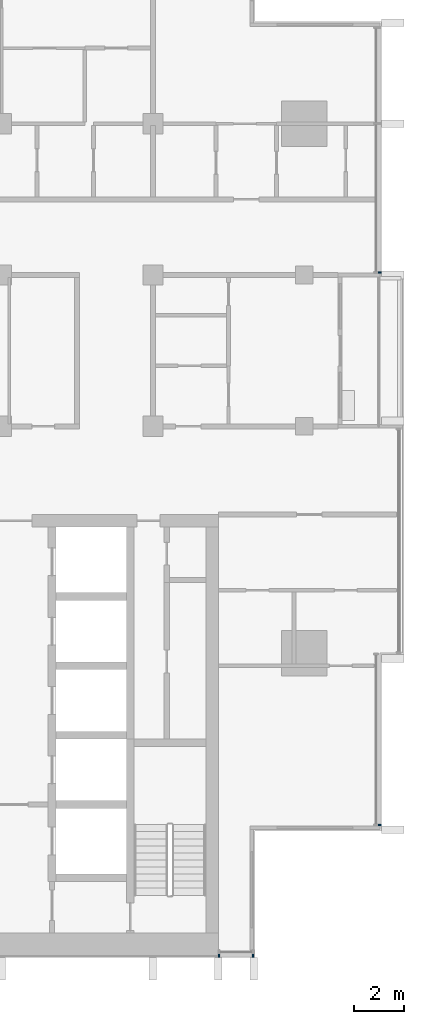
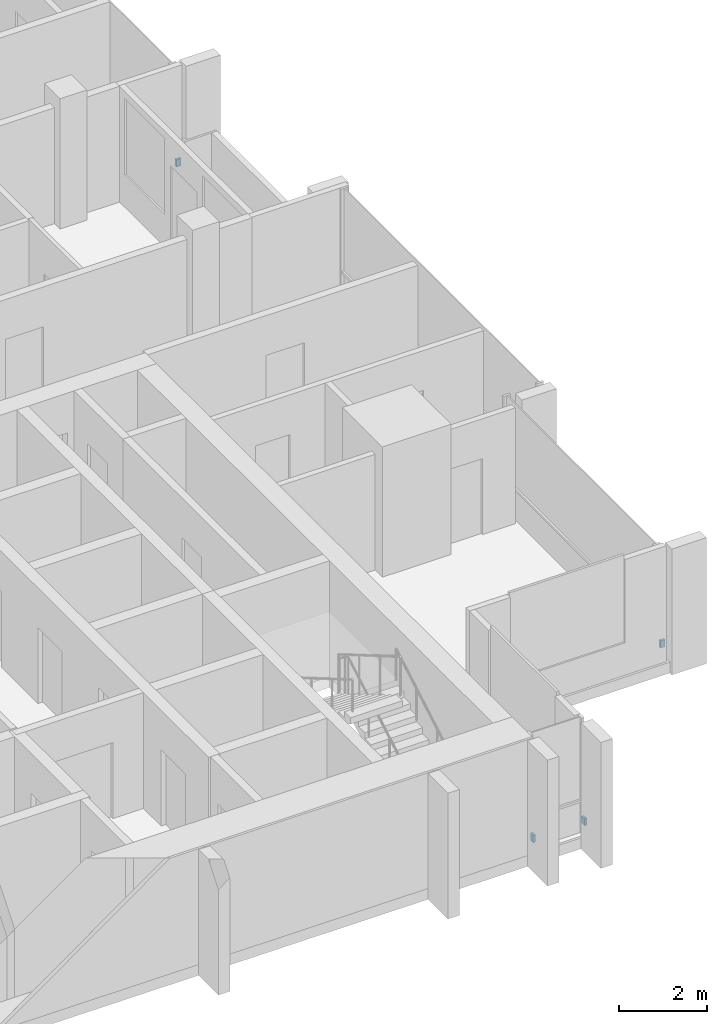
# One storey, part 13 of 16: 4 discrete accessories.
"""IFC4 building model written with IfcOpenShell, lengths in metres."""

from ifc_helpers import new_model, si_unit, direction, frame, origin, origin_2d, place, context, subcontext, project, spatial, rectangle, extrude, material, type_object, element, save


model = new_model("IFC4")

# Units and contexts
model_context = context("Model", 3, precision=1e-05, world=origin(), true_north=direction((0.0, 1.0)))
body_context = subcontext(model_context, "Body", "Model", "MODEL_VIEW")
ifc_project = project(units=[si_unit("LENGTHUNIT", "METRE"), si_unit("AREAUNIT", "SQUARE_METRE"), si_unit("VOLUMEUNIT", "CUBIC_METRE"), si_unit("PLANEANGLEUNIT", "RADIAN"), si_unit("MASSUNIT", "GRAM", prefix="KILO")], contexts=[model_context])

# Site, building, storey
site_placement = place(None, origin())
site = spatial("IfcSite", under=ifc_project, at=site_placement, CompositionType="ELEMENT")
building_placement = place(site_placement, origin())
building = spatial("IfcBuilding", under=site, at=building_placement, Name="Finial Court Residences", CompositionType="ELEMENT")
storey_placement = place(building_placement, frame((0.0, 0.0, 295.10009765625)))
storey = spatial("IfcBuildingStorey", under=building, at=storey_placement, Name="L75", CompositionType="ELEMENT", Elevation=295.10009765625)

# Discrete accessories
ifc_material = material(Name="Stainless steel 316", Category="steel")
discrete_accessory_type = type_object("IfcDiscreteAccessoryType", Name="Fin bracket, stainless steel 60 x 122 x 200", PredefinedType="BRACKET", material=ifc_material)
for number, where, z_axis, x_axis, name in (
    (1, (19.498779296875, -20.320068359375, 0.2998046875), (0.0, 0.0, 1.0), (1.0, 0.0, 0.0), "E-L75-FIN-E7-BRK"),
    (2, (19.498779296875, 1.60498046875, 0.2998046875), (0.0, 0.0, 1.0), (1.0, 0.0, 0.0), "E-L75-FIN-E10-BRK"),
):
    element("IfcDiscreteAccessory", number, at=place(storey_placement, frame(where, z_axis=z_axis, x_axis=x_axis)), inside=storey, type_object=discrete_accessory_type, Name=name, PredefinedType="BRACKET", context=body_context, shape_type="SweptSolid", body=[
        extrude(rectangle(XDim=0.12255859375, YDim=0.06005859375, at=origin_2d()), origin(), (0.0, 0.0, 1.0), 0.199951171875),
    ])
for number, where, z_axis, x_axis, name in (
    (3, (13.1298828125, -25.498779296875, 0.2998046875), (0.0, 0.0, 1.0), (1.0, 0.0, 0.0), "E-L75-FIN-S19-BRK"),
    (4, (14.469970703125, -25.498779296875, 0.2998046875), (0.0, 0.0, 1.0), (1.0, 0.0, 0.0), "E-L75-FIN-S20-BRK"),
):
    element("IfcDiscreteAccessory", number, at=place(storey_placement, frame(where, z_axis=z_axis, x_axis=x_axis)), inside=storey, type_object=discrete_accessory_type, Name=name, PredefinedType="BRACKET", context=body_context, shape_type="SweptSolid", body=[
        extrude(rectangle(XDim=0.06005859375, YDim=0.12255859375, at=origin_2d()), origin(), (0.0, 0.0, 1.0), 0.199951171875),
    ])

save(model, "model.ifc")
